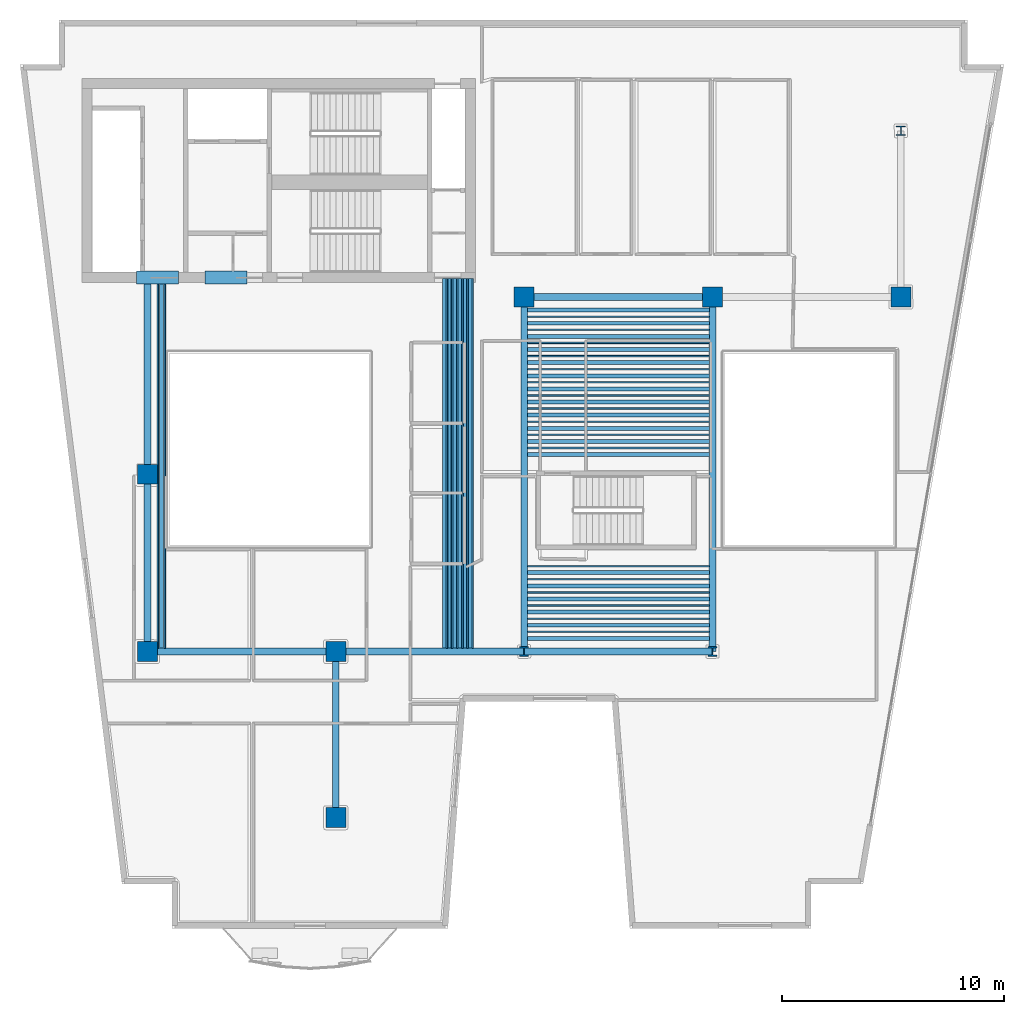
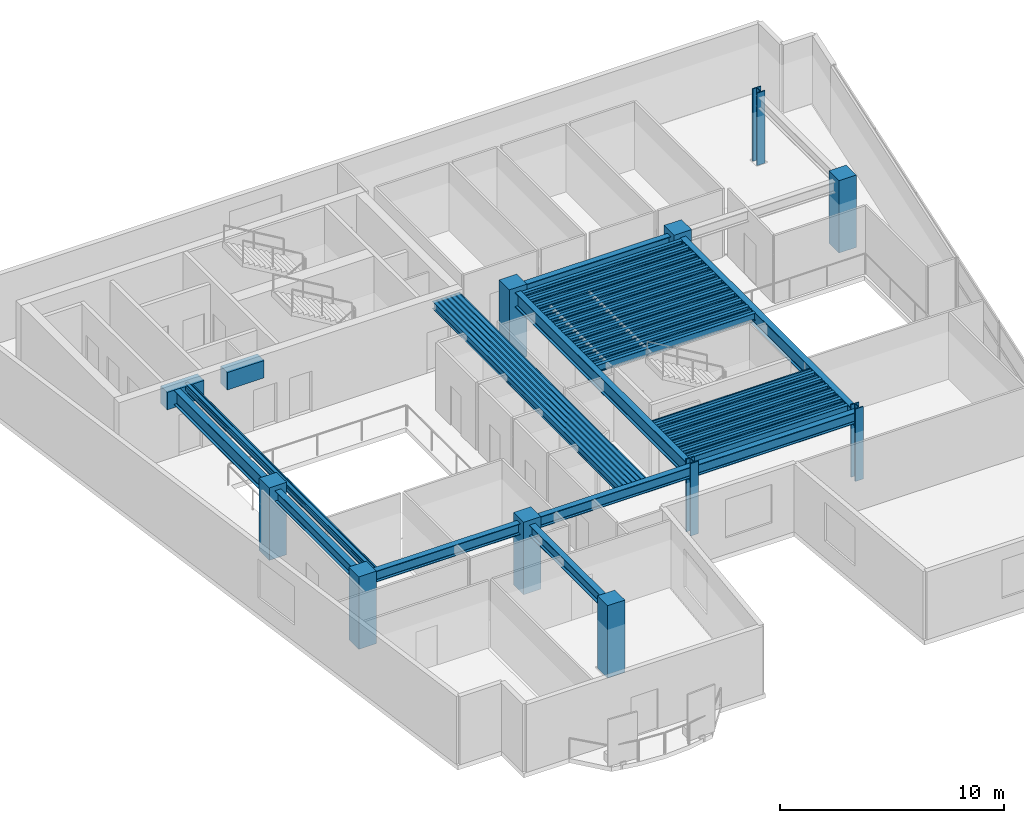
# One storey, part 1 of 9: 61 beams, 10 columns.
"""IFC4 building model written with IfcOpenShell, lengths in metres."""

import ifcopenshell
import ifcopenshell.guid

model = None  # the IFC model being written
_history = None  # IfcOwnerHistory: only IFC2X3 demands one
_inside = {}  # id of a spatial element -> (the spatial element, [elements in it])
_under = {}  # id of a project, library or spatial element -> (it, [spatial elements below it])
_declared = {}  # id of a project -> (the project, [libraries it declares])
_typed = {}  # id of a type object -> (the type object, [elements of that type])
_made_of = {}  # id of a material, layer set ... -> (it, [elements and type objects made of it])


def new_model(schema):
    """Start an empty IFC model of exactly this schema.

    Asked for "IFC4X3", IfcOpenShell would pick the latest addendum, in which some entities
    have other attributes; the version numbers below select the first issue.
    IFC2X3 requires an IfcOwnerHistory on every rooted entity: one is made here for all.
    """
    global model, _history
    if schema == "IFC4X3":
        model = ifcopenshell.file(schema_version=(4, 3, 0, 0))
    else:
        model = ifcopenshell.file(schema=schema)
    _inside.clear()
    _under.clear()
    _declared.clear()
    _typed.clear()
    _made_of.clear()
    _history = None
    if model.schema == "IFC2X3":
        org = make("IfcOrganization", Name="unknown")
        user = make(
            "IfcPersonAndOrganization",
            ThePerson=make("IfcPerson", FamilyName="unknown"),
            TheOrganization=org,
        )
        app = make(
            "IfcApplication",
            ApplicationDeveloper=org,
            Version="unknown",
            ApplicationFullName="unknown",
            ApplicationIdentifier="unknown",
        )
        _history = make(
            "IfcOwnerHistory",
            OwningUser=user,
            OwningApplication=app,
            ChangeAction="ADDED",
            CreationDate=0,
        )
    return model


def make(cls, **values):
    """One entity of the class cls with the attributes given. An attribute that is None is left unset."""
    return model.create_entity(
        cls, **{name: value for name, value in values.items() if value is not None}
    )


def rooted(cls, **values):
    """An entity with a GlobalId (a new one), such as an element, a storey or a relation."""
    return make(cls, GlobalId=ifcopenshell.guid.new(), OwnerHistory=_history, **values)


def si_unit(unit_type, name, prefix=None):
    """IfcSIUnit, for example si_unit("LENGTHUNIT", "METRE", prefix="MILLI")."""
    return make("IfcSIUnit", UnitType=unit_type, Prefix=prefix, Name=name)


def assignment(units):
    """IfcUnitAssignment: the units of a project."""
    return None if units is None else make("IfcUnitAssignment", Units=units)


def point(xyz):
    """IfcCartesianPoint."""
    return None if xyz is None else make("IfcCartesianPoint", Coordinates=xyz)


def direction(xyz):
    """IfcDirection."""
    return None if xyz is None else make("IfcDirection", DirectionRatios=xyz)


def frame(location, z_axis=None, x_axis=None):
    """IfcAxis2Placement3D, a coordinate frame: its origin and axes. An axis left out is left unset."""
    return make(
        "IfcAxis2Placement3D",
        Location=point(location),
        Axis=direction(z_axis),
        RefDirection=direction(x_axis),
    )


def frame_2d(location, x_axis=None):
    """IfcAxis2Placement2D, a coordinate frame in the plane: its origin and x axis."""
    return make(
        "IfcAxis2Placement2D", Location=point(location), RefDirection=direction(x_axis)
    )


def origin():
    """The frame at (0, 0, 0) with its axes left unset."""
    return frame((0.0, 0.0, 0.0))


def origin_2d():
    """The frame at (0, 0) in the plane with its x axis left unset."""
    return frame_2d((0.0, 0.0))


def place(relative_to, where):
    """IfcLocalPlacement: puts the frame where relative to a parent placement (None: the world)."""
    return make(
        "IfcLocalPlacement", PlacementRelTo=relative_to, RelativePlacement=where
    )


def context(
    kind, dimensions, precision=None, world=None, true_north=None, identifier=None
):
    """IfcGeometricRepresentationContext, for example the 3D "Model" context."""
    return make(
        "IfcGeometricRepresentationContext",
        ContextIdentifier=identifier,
        ContextType=kind,
        CoordinateSpaceDimension=dimensions,
        Precision=precision,
        WorldCoordinateSystem=world,
        TrueNorth=true_north,
    )


def subcontext(parent, identifier, kind, view, scale=None):
    """IfcGeometricRepresentationSubContext, for example "Body" below "Model"."""
    return make(
        "IfcGeometricRepresentationSubContext",
        ContextIdentifier=identifier,
        ContextType=kind,
        ParentContext=parent,
        TargetScale=scale,
        TargetView=view,
    )


def project(units=None, contexts=None):
    """IfcProject with its units and contexts."""
    return rooted(
        "IfcProject",
        Name="project",
        RepresentationContexts=contexts,
        UnitsInContext=assignment(units),
    )


def spatial(cls, under=None, at=None, **own):
    """A site, building, storey or space (cls), placed at a placement, below another one or the project."""
    s = rooted(cls, ObjectPlacement=at, **own)
    if under is not None:
        _under.setdefault(under.id(), (under, []))[1].append(s)
    return s


def profile(cls, at=None, kind="AREA", **sizes):
    """A parametric profile (cls). Its sizes go by their IFC names, for example OverallWidth=200.0."""
    return make(cls, ProfileType=kind, Position=at, **sizes)


def rectangle(**sizes):
    """IfcRectangleProfileDef."""
    return profile("IfcRectangleProfileDef", **sizes)


def hollow_rectangle(**sizes):
    """IfcRectangleHollowProfileDef."""
    return profile("IfcRectangleHollowProfileDef", **sizes)


def i_section(**sizes):
    """IfcIShapeProfileDef."""
    return profile("IfcIShapeProfileDef", **sizes)


def extrude(swept, where, along, depth):
    """IfcExtrudedAreaSolid: the profile swept, set in the frame where, extruded along a direction by depth."""
    return make(
        "IfcExtrudedAreaSolid",
        SweptArea=swept,
        Position=where,
        ExtrudedDirection=direction(along),
        Depth=depth,
    )


def shape(context_of_items, identifier, shape_type, items):
    """IfcShapeRepresentation: the items that make up one representation, for example the "Body"."""
    return make(
        "IfcShapeRepresentation",
        ContextOfItems=context_of_items,
        RepresentationIdentifier=identifier,
        RepresentationType=shape_type,
        Items=items,
    )


def material(Name=None, Category=None):
    """IfcMaterial."""
    return make("IfcMaterial", Name=Name, Category=Category)


def material_profile(
    of_material, cross_section, Name=None, Category=None, Priority=None
):
    """IfcMaterialProfile: a cross section and its material."""
    return make(
        "IfcMaterialProfile",
        Name=Name,
        Material=of_material,
        Profile=cross_section,
        Priority=Priority,
        Category=Category,
    )


def profile_set(profiles, Name=None, composite=None):
    """IfcMaterialProfileSet."""
    return make(
        "IfcMaterialProfileSet",
        Name=Name,
        MaterialProfiles=profiles,
        CompositeProfile=composite,
    )


def made_of(thing, what):
    """Note that an element or type object is made of a material, layer set ...; save() writes the relation."""
    if what is not None:
        _made_of.setdefault(what.id(), (what, []))[1].append(thing)
    return thing


def type_object(cls, material=None, **own):
    """A type object (cls), such as IfcWallType, which elements share."""
    return made_of(rooted(cls, **own), material)


def element(
    cls,
    number,
    at=None,
    inside=None,
    cuts=None,
    type_object=None,
    material=None,
    context=None,
    identifier="Body",
    shape_type=None,
    held_by="IfcProductDefinitionShape",
    body=None,
    shapes=None,
    **own,
):
    """One element of the class cls, such as IfcWall. Its Tag is "e" and its number.

    at: its placement. inside: the storey or other place that contains it. cuts: it is an
    opening in that element (IfcRelVoidsElement). A single representation is given by context,
    identifier, shape_type and body (its items); several are given by shapes. held_by: the class
    of the entity that holds the representations. save() writes the other relations.
    """
    e = rooted(cls, Tag="e%d" % number, ObjectPlacement=at, **own)
    if body is not None:
        shapes = [shape(context, identifier, shape_type, body)]
    if shapes is not None:
        e.Representation = make(held_by, Representations=shapes)
    if inside is not None:
        _inside.setdefault(inside.id(), (inside, []))[1].append(e)
    if cuts is not None:
        rooted(
            "IfcRelVoidsElement", RelatingBuildingElement=cuts, RelatedOpeningElement=e
        )
    if type_object is not None:
        _typed.setdefault(type_object.id(), (type_object, []))[1].append(e)
    return made_of(e, material)


def aggregate(whole, parts):
    """IfcRelAggregates: a whole, such as a stair, and the parts it consists of."""
    return rooted("IfcRelAggregates", RelatingObject=whole, RelatedObjects=parts)


def save(model, path):
    """Write the relations noted so far, then the file.

    IfcRelAggregates (storeys below a building ...), IfcRelContainedInSpatialStructure (elements
    in a storey), IfcRelDefinesByType, IfcRelAssociatesMaterial and IfcRelDeclares: one each for
    every whole, place, type object, material and project.
    """
    for whole, parts in _under.values():
        aggregate(whole, parts)
    for where, things in _inside.values():
        rooted(
            "IfcRelContainedInSpatialStructure",
            RelatedElements=things,
            RelatingStructure=where,
        )
    for kind, things in _typed.values():
        rooted("IfcRelDefinesByType", RelatedObjects=things, RelatingType=kind)
    for what, things in _made_of.values():
        rooted("IfcRelAssociatesMaterial", RelatedObjects=things, RelatingMaterial=what)
    for by, libraries in _declared.values():
        rooted("IfcRelDeclares", RelatingContext=by, RelatedDefinitions=libraries)
    model.write(path)


model = new_model("IFC4")

# Units and contexts
model_context = context("Model", 3, precision=1e-05, world=origin(), true_north=direction((0.0, 1.0)))
body_context = subcontext(model_context, "Body", "Model", "MODEL_VIEW")
ifc_project = project(units=[si_unit("LENGTHUNIT", "METRE"), si_unit("AREAUNIT", "SQUARE_METRE"), si_unit("VOLUMEUNIT", "CUBIC_METRE"), si_unit("PLANEANGLEUNIT", "RADIAN"), si_unit("MASSUNIT", "GRAM", prefix="KILO")], contexts=[model_context])

# Site, building, storey
site_placement = place(None, origin())
site = spatial("IfcSite", under=ifc_project, at=site_placement, CompositionType="ELEMENT")
building_placement = place(site_placement, origin())
building = spatial("IfcBuilding", under=site, at=building_placement, Name="Caeloran Harvest Quay", CompositionType="ELEMENT")
storey_placement = place(building_placement, frame((0.0, 0.0, 195.60009765625)))
storey = spatial("IfcBuildingStorey", under=building, at=storey_placement, Name="L46", CompositionType="ELEMENT", Elevation=195.60009765625)

# Columns
ifc_material_1 = material(Name="Concrete C60/75", Category="concrete")
ifc_material_profile_1 = material_profile(ifc_material_1, rectangle(XDim=0.89990234375, YDim=0.89990234375, at=origin_2d()), Name="RC 900x900")
ifc_profile_set_1 = profile_set([ifc_material_profile_1], Name="Concrete C60/75")
column_type_1 = type_object("IfcColumnType", Name="COL-MC-4-RC_900x900", PredefinedType="COLUMN", material=ifc_profile_set_1)
for number, where, z_axis, x_axis, name in (
    (1, (8.5, 15.0, 0.0), (0.0, 0.0, 1.0), (1.0, 0.0, 0.0), "L46 Structural Column (8.5, 15.0)"),
    (2, (8.5, 23.0, 0.0), (0.0, 0.0, 1.0), (1.0, 0.0, 0.0), "L46 Structural Column (8.5, 23.0)"),
    (3, (17.0, 7.5, 0.0), (0.0, 0.0, 1.0), (1.0, 0.0, 0.0), "L46 Structural Column (17.0, 7.5)"),
    (4, (17.0, 15.0, 0.0), (0.0, 0.0, 1.0), (1.0, 0.0, 0.0), "L46 Structural Column (17.0, 15.0)"),
    (5, (25.5, 31.0, 0.0), (0.0, 0.0, 1.0), (1.0, 0.0, 0.0), "L46 Structural Column (25.5, 31.0)"),
    (6, (34.0, 31.0, 0.0), (0.0, 0.0, 1.0), (1.0, 0.0, 0.0), "L46 Structural Column (34.0, 31.0)"),
    (7, (42.5, 31.0, 0.0), (0.0, 0.0, 1.0), (1.0, 0.0, 0.0), "L46 Structural Column (42.5, 31.0)"),
):
    element("IfcColumn", number, at=place(storey_placement, frame(where, z_axis=z_axis, x_axis=x_axis)), inside=storey, type_object=column_type_1, Name=name, PredefinedType="COLUMN", context=body_context, shape_type="SweptSolid", body=[
        extrude(rectangle(XDim=0.89990234375, YDim=0.89990234375, at=origin_2d()), origin(), (0.0, 0.0, 1.0), 3.949951171875),
    ])
ifc_material_2 = material(Name="Steel HISTAR 460", Category="steel")
ifc_material_profile_2 = material_profile(ifc_material_2, i_section(OverallWidth=0.416015625, OverallDepth=0.446044921875, WebThickness=0.0390625, FlangeThickness=0.062744140625, FilletRadius=0.014892578125, at=origin_2d()), Name="HD 400x509")
ifc_profile_set_2 = profile_set([ifc_material_profile_2], Name="Steel HISTAR 460")
column_type_2 = type_object("IfcColumnType", Name="COL-SC-4-HD_400x509", PredefinedType="COLUMN", material=ifc_profile_set_2)
for number, where, z_axis, x_axis, name in (
    (8, (25.5, 15.0, 0.0), (0.0, 0.0, 1.0), (1.0, 0.0, 0.0), "L46 Structural Column (25.5, 15.0)"),
    (9, (34.0, 15.0, 0.0), (0.0, 0.0, 1.0), (1.0, 0.0, 0.0), "L46 Structural Column (34.0, 15.0)"),
    (10, (42.5, 38.5, 0.0), (0.0, 0.0, 1.0), (1.0, 0.0, 0.0), "L46 Structural Column (42.5, 38.5)"),
):
    element("IfcColumn", number, at=place(storey_placement, frame(where, z_axis=z_axis, x_axis=x_axis)), inside=storey, type_object=column_type_2, Name=name, PredefinedType="COLUMN", context=body_context, shape_type="SweptSolid", body=[
        extrude(i_section(OverallWidth=0.416015625, OverallDepth=0.446044921875, WebThickness=0.0390625, FlangeThickness=0.062744140625, FilletRadius=0.014892578125, at=origin_2d()), origin(), (0.0, 0.0, 1.0), 3.949951171875),
    ])

# Beams
ifc_material_profile_3 = material_profile(ifc_material_1, rectangle(XDim=0.60009765625, YDim=0.949951171875, at=origin_2d()), Name="RC 600x950")
ifc_profile_set_3 = profile_set([ifc_material_profile_3], Name="Concrete C60/75")
beam_type_1 = type_object("IfcBeamType", Name="BM-CB-2-RC_600x950", PredefinedType="LINTEL", material=ifc_profile_set_3)
for number, where, z_axis, x_axis, name in (
    (11, (8.0, 31.875, 3.224853515625), (1.0, 0.0, 0.0), (0.0, 1.0, 0.0), "L46 Core Coupling Beam 1"),
    (12, (11.10009765625, 31.875, 3.224853515625), (1.0, 0.0, 0.0), (0.0, 1.0, 0.0), "L46 Core Coupling Beam 2"),
):
    element("IfcBeam", number, at=place(storey_placement, frame(where, z_axis=z_axis, x_axis=x_axis)), inside=storey, type_object=beam_type_1, Name=name, PredefinedType="LINTEL", context=body_context, shape_type="SweptSolid", body=[
        extrude(rectangle(XDim=0.60009765625, YDim=0.949951171875, at=origin_2d()), origin(), (0.0, 0.0, 1.0), 1.89990234375),
    ])
ifc_material_3 = material(Name="Steel S355J2", Category="steel")
ifc_material_profile_4 = material_profile(ifc_material_3, i_section(OverallWidth=0.300048828125, OverallDepth=0.800048828125, WebThickness=0.017578125, FlangeThickness=0.032958984375, FilletRadius=0.030029296875, at=origin_2d()), Name="HE 800 B")
ifc_profile_set_4 = profile_set([ifc_material_profile_4], Name="Steel S355J2")
beam_type_2 = type_object("IfcBeamType", Name="BM-PG-1-HE_800_B", PredefinedType="BEAM", material=ifc_profile_set_4)
beam_1_placement = place(storey_placement, frame((8.5, 23.0, 3.2998046875), z_axis=(0.0, 1.0, 0.0), x_axis=(-1.0, 0.0, 0.0)))
element("IfcBeam", 13, at=beam_1_placement, inside=storey, type_object=beam_type_2, Name="L46 Core South Tie Girder X=8.5", PredefinedType="BEAM", context=body_context, shape_type="SweptSolid", body=[
    extrude(i_section(OverallWidth=0.300048828125, OverallDepth=0.800048828125, WebThickness=0.017578125, FlangeThickness=0.032958984375, FilletRadius=0.030029296875, at=origin_2d()), origin(), (0.0, 0.0, 1.0), 8.824951171875),
])
for number, where, z_axis, x_axis, name in (
    (14, (25.5, 15.0, 3.2998046875), (0.0, 1.0, 0.0), (-1.0, 0.0, 0.0), "L46 Primary North-South Girder X=25.5"),
    (15, (34.0, 15.0, 3.2998046875), (0.0, 1.0, 0.0), (-1.0, 0.0, 0.0), "L46 Primary North-South Girder X=34.0"),
):
    element("IfcBeam", number, at=place(storey_placement, frame(where, z_axis=z_axis, x_axis=x_axis)), inside=storey, type_object=beam_type_2, Name=name, PredefinedType="BEAM", context=body_context, shape_type="SweptSolid", body=[
        extrude(i_section(OverallWidth=0.300048828125, OverallDepth=0.800048828125, WebThickness=0.017578125, FlangeThickness=0.032958984375, FilletRadius=0.030029296875, at=origin_2d()), origin(), (0.0, 0.0, 1.0), 16.0),
    ])
ifc_material_profile_5 = material_profile(ifc_material_3, i_section(OverallWidth=0.300048828125, OverallDepth=0.60009765625, WebThickness=0.015380859375, FlangeThickness=0.030029296875, FilletRadius=0.027099609375, at=origin_2d()), Name="HE 600 B")
ifc_profile_set_5 = profile_set([ifc_material_profile_5], Name="Steel S355J2")
beam_type_3 = type_object("IfcBeamType", Name="BM-PG-3-HE_600_B", PredefinedType="BEAM", material=ifc_profile_set_5)
for number, where, z_axis, x_axis, name in (
    (16, (8.5, 15.0, 3.39990234375), (1.0, 0.0, 0.0), (0.0, 1.0, 0.0), "L46 Primary East-West Girder Y=15.0"),
    (17, (17.0, 15.0, 3.39990234375), (1.0, 0.0, 0.0), (0.0, 1.0, 0.0), "L46 Primary East-West Girder Y=15.0"),
    (18, (25.5, 15.0, 3.39990234375), (1.0, 0.0, 0.0), (0.0, 1.0, 0.0), "L46 Primary East-West Girder Y=15.0"),
    (19, (25.5, 31.0, 3.39990234375), (1.0, 0.0, 0.0), (0.0, 1.0, 0.0), "L46 Primary East-West Girder Y=31.0"),
):
    element("IfcBeam", number, at=place(storey_placement, frame(where, z_axis=z_axis, x_axis=x_axis)), inside=storey, type_object=beam_type_3, Name=name, PredefinedType="BEAM", context=body_context, shape_type="SweptSolid", body=[
        extrude(i_section(OverallWidth=0.300048828125, OverallDepth=0.60009765625, WebThickness=0.015380859375, FlangeThickness=0.030029296875, FilletRadius=0.027099609375, at=origin_2d()), origin(), (0.0, 0.0, 1.0), 8.5),
    ])
beam_2_placement = place(storey_placement, frame((8.5, 15.0, 3.39990234375), z_axis=(0.0, 1.0, 0.0), x_axis=(-1.0, 0.0, 0.0)))
element("IfcBeam", 20, at=beam_2_placement, inside=storey, type_object=beam_type_3, Name="L46 Primary North-South Girder X=8.5", PredefinedType="BEAM", context=body_context, shape_type="SweptSolid", body=[
    extrude(i_section(OverallWidth=0.300048828125, OverallDepth=0.60009765625, WebThickness=0.015380859375, FlangeThickness=0.030029296875, FilletRadius=0.027099609375, at=origin_2d()), origin(), (0.0, 0.0, 1.0), 8.0),
])
beam_3_placement = place(storey_placement, frame((17.0, 7.5, 3.39990234375), z_axis=(0.0, 1.0, 0.0), x_axis=(-1.0, 0.0, 0.0)))
element("IfcBeam", 21, at=beam_3_placement, inside=storey, type_object=beam_type_3, Name="L46 Primary North-South Girder X=17.0", PredefinedType="BEAM", context=body_context, shape_type="SweptSolid", body=[
    extrude(i_section(OverallWidth=0.300048828125, OverallDepth=0.60009765625, WebThickness=0.015380859375, FlangeThickness=0.030029296875, FilletRadius=0.027099609375, at=origin_2d()), origin(), (0.0, 0.0, 1.0), 7.5),
])
ifc_material_profile_6 = material_profile(ifc_material_3, i_section(OverallWidth=0.179931640625, OverallDepth=0.39990234375, WebThickness=0.008544921875, FlangeThickness=0.013427734375, FilletRadius=0.02099609375, at=origin_2d()), Name="IPE 400")
ifc_profile_set_6 = profile_set([ifc_material_profile_6], Name="Steel S355J2")
beam_type_4 = type_object("IfcBeamType", Name="BM-SB-4-IPE_400", PredefinedType="JOIST", material=ifc_profile_set_6)
for number, where, z_axis, x_axis, name in (
    (22, (9.129638671875, 15.14501953125, 3.5), (0.0, 1.0, 0.0), (-1.0, 0.0, 0.0), "L46 Secondary Composite Joist"),
    (23, (21.89990234375, 15.14501953125, 3.5), (0.0, 1.0, 0.0), (-1.0, 0.0, 0.0), "L46 Secondary Composite Joist"),
    (24, (22.13330078125, 15.14501953125, 3.5), (0.0, 1.0, 0.0), (-1.0, 0.0, 0.0), "L46 Secondary Composite Joist"),
    (25, (22.36669921875, 15.14501953125, 3.5), (0.0, 1.0, 0.0), (-1.0, 0.0, 0.0), "L46 Secondary Composite Joist"),
    (26, (22.60009765625, 15.14501953125, 3.5), (0.0, 1.0, 0.0), (-1.0, 0.0, 0.0), "L46 Secondary Composite Joist"),
    (27, (22.833251953125, 15.14501953125, 3.5), (0.0, 1.0, 0.0), (-1.0, 0.0, 0.0), "L46 Secondary Composite Joist"),
    (28, (23.066650390625, 15.14501953125, 3.5), (0.0, 1.0, 0.0), (-1.0, 0.0, 0.0), "L46 Secondary Composite Joist"),
):
    element("IfcBeam", number, at=place(storey_placement, frame(where, z_axis=z_axis, x_axis=x_axis)), inside=storey, type_object=beam_type_4, Name=name, PredefinedType="JOIST", context=body_context, shape_type="SweptSolid", body=[
        extrude(i_section(OverallWidth=0.179931640625, OverallDepth=0.39990234375, WebThickness=0.008544921875, FlangeThickness=0.013427734375, FilletRadius=0.02099609375, at=origin_2d()), origin(), (0.0, 0.0, 1.0), 16.679931640625),
    ])
for number, where, z_axis, x_axis, name in (
    (29, (25.64501953125, 15.592529296875, 3.5), (1.0, 0.0, 0.0), (0.0, 1.0, 0.0), "L46 Secondary East-West Composite Joist"),
    (30, (25.64501953125, 16.185302734375, 3.5), (1.0, 0.0, 0.0), (0.0, 1.0, 0.0), "L46 Secondary East-West Composite Joist"),
    (31, (25.64501953125, 16.77783203125, 3.5), (1.0, 0.0, 0.0), (0.0, 1.0, 0.0), "L46 Secondary East-West Composite Joist"),
    (32, (25.64501953125, 17.370361328125, 3.5), (1.0, 0.0, 0.0), (0.0, 1.0, 0.0), "L46 Secondary East-West Composite Joist"),
    (33, (25.64501953125, 17.962890625, 3.5), (1.0, 0.0, 0.0), (0.0, 1.0, 0.0), "L46 Secondary East-West Composite Joist"),
    (34, (25.64501953125, 18.5556640625, 3.5), (1.0, 0.0, 0.0), (0.0, 1.0, 0.0), "L46 Secondary East-West Composite Joist"),
    (35, (25.64501953125, 23.888916015625, 3.5), (1.0, 0.0, 0.0), (0.0, 1.0, 0.0), "L46 Secondary East-West Composite Joist"),
    (36, (25.64501953125, 24.4814453125, 3.5), (1.0, 0.0, 0.0), (0.0, 1.0, 0.0), "L46 Secondary East-West Composite Joist"),
    (37, (25.64501953125, 25.07421875, 3.5), (1.0, 0.0, 0.0), (0.0, 1.0, 0.0), "L46 Secondary East-West Composite Joist"),
    (38, (25.64501953125, 25.666748046875, 3.5), (1.0, 0.0, 0.0), (0.0, 1.0, 0.0), "L46 Secondary East-West Composite Joist"),
    (39, (25.64501953125, 26.25927734375, 3.5), (1.0, 0.0, 0.0), (0.0, 1.0, 0.0), "L46 Secondary East-West Composite Joist"),
    (40, (25.64501953125, 26.851806640625, 3.5), (1.0, 0.0, 0.0), (0.0, 1.0, 0.0), "L46 Secondary East-West Composite Joist"),
    (41, (25.64501953125, 27.4443359375, 3.5), (1.0, 0.0, 0.0), (0.0, 1.0, 0.0), "L46 Secondary East-West Composite Joist"),
    (42, (25.64501953125, 28.037109375, 3.5), (1.0, 0.0, 0.0), (0.0, 1.0, 0.0), "L46 Secondary East-West Composite Joist"),
    (43, (25.64501953125, 28.629638671875, 3.5), (1.0, 0.0, 0.0), (0.0, 1.0, 0.0), "L46 Secondary East-West Composite Joist"),
    (44, (25.64501953125, 29.22216796875, 3.5), (1.0, 0.0, 0.0), (0.0, 1.0, 0.0), "L46 Secondary East-West Composite Joist"),
    (45, (25.64501953125, 29.814697265625, 3.5), (1.0, 0.0, 0.0), (0.0, 1.0, 0.0), "L46 Secondary East-West Composite Joist"),
    (46, (25.64501953125, 30.407470703125, 3.5), (1.0, 0.0, 0.0), (0.0, 1.0, 0.0), "L46 Secondary East-West Composite Joist"),
):
    element("IfcBeam", number, at=place(storey_placement, frame(where, z_axis=z_axis, x_axis=x_axis)), inside=storey, type_object=beam_type_4, Name=name, PredefinedType="JOIST", context=body_context, shape_type="SweptSolid", body=[
        extrude(i_section(OverallWidth=0.179931640625, OverallDepth=0.39990234375, WebThickness=0.008544921875, FlangeThickness=0.013427734375, FilletRadius=0.02099609375, at=origin_2d()), origin(), (0.0, 0.0, 1.0), 8.2099609375),
    ])
ifc_material_profile_7 = material_profile(ifc_material_3, hollow_rectangle(XDim=0.080078125, YDim=0.199951171875, WallThickness=0.006103515625, InnerFilletRadius=0.006103515625, OuterFilletRadius=0.009033203125, at=origin_2d()), Name="RHS 200x80x6")
ifc_profile_set_7 = profile_set([ifc_material_profile_7], Name="Steel S355J2")
beam_type_5 = type_object("IfcBeamType", Name="BM-SB-7-RHS_200x80x6", PredefinedType="JOIST", material=ifc_profile_set_7)
for number, where, z_axis, x_axis, name in (
    (47, (8.97216796875, 15.14501953125, 3.599853515625), (0.0, 1.0, 0.0), (-1.0, 0.0, 0.0), "L46 Secondary Composite Joist"),
    (48, (9.287109375, 15.14501953125, 3.599853515625), (0.0, 1.0, 0.0), (-1.0, 0.0, 0.0), "L46 Secondary Composite Joist"),
    (49, (22.0166015625, 15.14501953125, 3.599853515625), (0.0, 1.0, 0.0), (-1.0, 0.0, 0.0), "L46 Secondary Composite Joist"),
    (50, (22.25, 15.14501953125, 3.599853515625), (0.0, 1.0, 0.0), (-1.0, 0.0, 0.0), "L46 Secondary Composite Joist"),
    (51, (22.4833984375, 15.14501953125, 3.599853515625), (0.0, 1.0, 0.0), (-1.0, 0.0, 0.0), "L46 Secondary Composite Joist"),
    (52, (22.716796875, 15.14501953125, 3.599853515625), (0.0, 1.0, 0.0), (-1.0, 0.0, 0.0), "L46 Secondary Composite Joist"),
    (53, (22.949951171875, 15.14501953125, 3.599853515625), (0.0, 1.0, 0.0), (-1.0, 0.0, 0.0), "L46 Secondary Composite Joist"),
    (54, (23.183349609375, 15.14501953125, 3.599853515625), (0.0, 1.0, 0.0), (-1.0, 0.0, 0.0), "L46 Secondary Composite Joist"),
):
    element("IfcBeam", number, at=place(storey_placement, frame(where, z_axis=z_axis, x_axis=x_axis)), inside=storey, type_object=beam_type_5, Name=name, PredefinedType="JOIST", context=body_context, shape_type="SweptSolid", body=[
        extrude(hollow_rectangle(XDim=0.080078125, YDim=0.199951171875, WallThickness=0.006103515625, InnerFilletRadius=0.006103515625, OuterFilletRadius=0.009033203125, at=origin_2d()), origin(), (0.0, 0.0, 1.0), 16.679931640625),
    ])
for number, where, z_axis, x_axis, name in (
    (55, (25.64501953125, 15.888916015625, 3.599853515625), (1.0, 0.0, 0.0), (0.0, 1.0, 0.0), "L46 Secondary East-West Composite Joist"),
    (56, (25.64501953125, 16.4814453125, 3.599853515625), (1.0, 0.0, 0.0), (0.0, 1.0, 0.0), "L46 Secondary East-West Composite Joist"),
    (57, (25.64501953125, 17.07421875, 3.599853515625), (1.0, 0.0, 0.0), (0.0, 1.0, 0.0), "L46 Secondary East-West Composite Joist"),
    (58, (25.64501953125, 17.666748046875, 3.599853515625), (1.0, 0.0, 0.0), (0.0, 1.0, 0.0), "L46 Secondary East-West Composite Joist"),
    (59, (25.64501953125, 18.25927734375, 3.599853515625), (1.0, 0.0, 0.0), (0.0, 1.0, 0.0), "L46 Secondary East-West Composite Joist"),
    (60, (25.64501953125, 18.851806640625, 3.599853515625), (1.0, 0.0, 0.0), (0.0, 1.0, 0.0), "L46 Secondary East-West Composite Joist"),
    (61, (25.64501953125, 24.185302734375, 3.599853515625), (1.0, 0.0, 0.0), (0.0, 1.0, 0.0), "L46 Secondary East-West Composite Joist"),
    (62, (25.64501953125, 24.77783203125, 3.599853515625), (1.0, 0.0, 0.0), (0.0, 1.0, 0.0), "L46 Secondary East-West Composite Joist"),
    (63, (25.64501953125, 25.370361328125, 3.599853515625), (1.0, 0.0, 0.0), (0.0, 1.0, 0.0), "L46 Secondary East-West Composite Joist"),
    (64, (25.64501953125, 25.962890625, 3.599853515625), (1.0, 0.0, 0.0), (0.0, 1.0, 0.0), "L46 Secondary East-West Composite Joist"),
    (65, (25.64501953125, 26.5556640625, 3.599853515625), (1.0, 0.0, 0.0), (0.0, 1.0, 0.0), "L46 Secondary East-West Composite Joist"),
    (66, (25.64501953125, 27.148193359375, 3.599853515625), (1.0, 0.0, 0.0), (0.0, 1.0, 0.0), "L46 Secondary East-West Composite Joist"),
    (67, (25.64501953125, 27.74072265625, 3.599853515625), (1.0, 0.0, 0.0), (0.0, 1.0, 0.0), "L46 Secondary East-West Composite Joist"),
    (68, (25.64501953125, 28.333251953125, 3.599853515625), (1.0, 0.0, 0.0), (0.0, 1.0, 0.0), "L46 Secondary East-West Composite Joist"),
    (69, (25.64501953125, 28.92578125, 3.599853515625), (1.0, 0.0, 0.0), (0.0, 1.0, 0.0), "L46 Secondary East-West Composite Joist"),
    (70, (25.64501953125, 29.5185546875, 3.599853515625), (1.0, 0.0, 0.0), (0.0, 1.0, 0.0), "L46 Secondary East-West Composite Joist"),
    (71, (25.64501953125, 30.111083984375, 3.599853515625), (1.0, 0.0, 0.0), (0.0, 1.0, 0.0), "L46 Secondary East-West Composite Joist"),
):
    element("IfcBeam", number, at=place(storey_placement, frame(where, z_axis=z_axis, x_axis=x_axis)), inside=storey, type_object=beam_type_5, Name=name, PredefinedType="JOIST", context=body_context, shape_type="SweptSolid", body=[
        extrude(hollow_rectangle(XDim=0.080078125, YDim=0.199951171875, WallThickness=0.006103515625, InnerFilletRadius=0.006103515625, OuterFilletRadius=0.009033203125, at=origin_2d()), origin(), (0.0, 0.0, 1.0), 8.2099609375),
    ])

save(model, "model.ifc")
